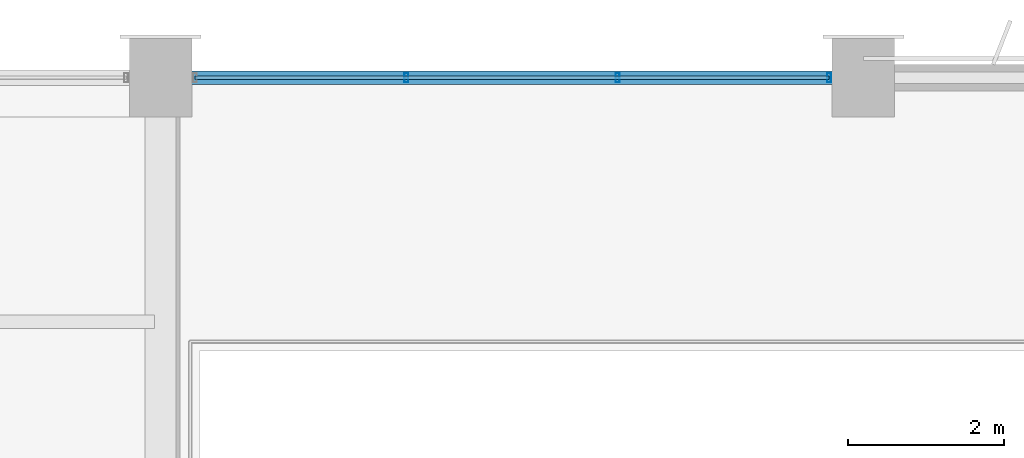
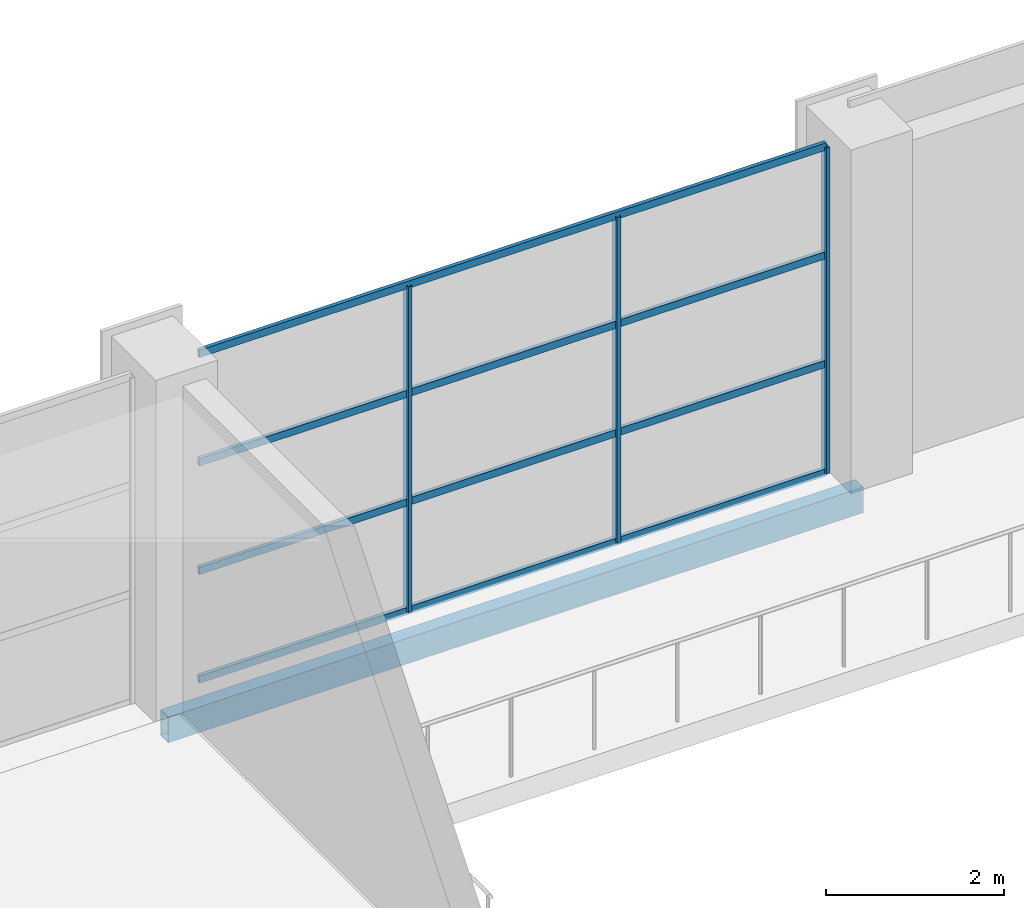
# One storey, part 82 of 112: 7 members, 1 beam, 1 element without a shape of its own.
"""IFC4 building model written with IfcOpenShell, lengths in metres."""

from ifc_helpers import new_model, si_unit, direction, frame, origin, origin_2d, place, context, subcontext, project, spatial, hollow_rectangle, extrude, material, material_profile, profile_set, type_object, element, aggregate, save


model = new_model("IFC4")

# Units and contexts
model_context = context("Model", 3, precision=1e-05, world=origin(), true_north=direction((0.0, 1.0)))
body_context = subcontext(model_context, "Body", "Model", "MODEL_VIEW")
ifc_project = project(units=[si_unit("LENGTHUNIT", "METRE"), si_unit("AREAUNIT", "SQUARE_METRE"), si_unit("VOLUMEUNIT", "CUBIC_METRE"), si_unit("PLANEANGLEUNIT", "RADIAN"), si_unit("MASSUNIT", "GRAM", prefix="KILO")], contexts=[model_context])

# Site, building, storey
site_placement = place(None, origin())
site = spatial("IfcSite", under=ifc_project, at=site_placement, CompositionType="ELEMENT")
building_placement = place(site_placement, origin())
building = spatial("IfcBuilding", under=site, at=building_placement, Name="Solvikara Media Centre", CompositionType="ELEMENT")
storey_placement = place(building_placement, frame((0.0, 0.0, 5.39990234375)))
storey = spatial("IfcBuildingStorey", under=building, at=storey_placement, Name="L01", CompositionType="ELEMENT", Elevation=5.39990234375)

# Beam
ifc_material_1 = material(Name="Steel S355JR", Category="steel")
ifc_material_profile_1 = material_profile(ifc_material_1, hollow_rectangle(XDim=0.175048828125, YDim=0.35009765625, WallThickness=0.010009765625, at=origin_2d()), Name="RHS 350x175x10")
ifc_profile_set_1 = profile_set([ifc_material_profile_1], Name="Steel S355JR")
beam_type = type_object("IfcBeamType", Name="BM-34", PredefinedType="SPANDREL", material=ifc_profile_set_1)
beam_placement = place(storey_placement, frame((136.5, 114.0, -0.476806640625), z_axis=(1.0, 0.0, 0.0), x_axis=(0.0, 1.0, 0.0)))
element("IfcBeam", 1, at=beam_placement, inside=storey, type_object=beam_type, Name="B-L01-X0532", PredefinedType="SPANDREL", context=body_context, shape_type="SweptSolid", body=[
    extrude(hollow_rectangle(XDim=0.175048828125, YDim=0.35009765625, WallThickness=0.010009765625, at=origin_2d()), origin(), (0.0, 0.0, 1.0), 9.0),
])

# Curtain wall, members
ifc_material_2 = material(Name="Anodised aluminium EN AW-6063", Category="aluminium")
curtain_wall_type = type_object("IfcCurtainWallType", Name="CW-12", PredefinedType="NOTDEFINED", material=ifc_material_2)
curtain_wall_placement = place(storey_placement, origin())
curtain_wall = element("IfcCurtainWall", 2, at=curtain_wall_placement, inside=storey, type_object=curtain_wall_type, Name="CW-L01-V2N-S2", PredefinedType="NOTDEFINED")
ifc_material_profile_2 = material_profile(ifc_material_2, hollow_rectangle(XDim=0.050048828125, YDim=0.1201171875, WallThickness=0.0029296875, at=origin_2d()), Name="ALU-M 50x120x3")
ifc_profile_set_2 = profile_set([ifc_material_profile_2], Name="Anodised aluminium EN AW-6063")
member_type_1 = type_object("IfcMemberType", Name="MF-06", PredefinedType="MULLION", material=ifc_profile_set_2)
member_1_placement = place(storey_placement, frame((139.64697265625, 114.0, 0.02001953125), z_axis=(0.0, 0.0, 1.0), x_axis=(1.0, 0.0, 0.0)))
member_1 = element("IfcMember", 3, at=member_1_placement, type_object=member_type_1, Name="CW-L01-V2N-S2-M01", PredefinedType="MULLION", context=body_context, shape_type="SweptSolid", body=[
    extrude(hollow_rectangle(XDim=0.050048828125, YDim=0.1201171875, WallThickness=0.0029296875, at=origin_2d()), origin(), (0.0, 0.0, 1.0), 4.4599609375),
])
member_2_placement = place(storey_placement, frame((142.35302734375, 114.0, 0.02001953125), z_axis=(0.0, 0.0, 1.0), x_axis=(1.0, 0.0, 0.0)))
member_2 = element("IfcMember", 4, at=member_2_placement, type_object=member_type_1, Name="CW-L01-V2N-S2-M02", PredefinedType="MULLION", context=body_context, shape_type="SweptSolid", body=[
    extrude(hollow_rectangle(XDim=0.050048828125, YDim=0.1201171875, WallThickness=0.0029296875, at=origin_2d()), origin(), (0.0, 0.0, 1.0), 4.4599609375),
])
member_3_placement = place(storey_placement, frame((145.06005859375, 114.0, 0.02001953125), z_axis=(0.0, 0.0, 1.0), x_axis=(1.0, 0.0, 0.0)))
member_3 = element("IfcMember", 5, at=member_3_placement, type_object=member_type_1, Name="CW-L01-V2N-S2-M03", PredefinedType="MULLION", context=body_context, shape_type="SweptSolid", body=[
    extrude(hollow_rectangle(XDim=0.050048828125, YDim=0.1201171875, WallThickness=0.0029296875, at=origin_2d()), origin(), (0.0, 0.0, 1.0), 4.4599609375),
])
ifc_material_profile_3 = material_profile(ifc_material_2, hollow_rectangle(XDim=0.050048828125, YDim=0.10009765625, WallThickness=0.0029296875, at=origin_2d()), Name="ALU-T 50x100x3")
ifc_profile_set_3 = profile_set([ifc_material_profile_3], Name="Anodised aluminium EN AW-6063")
member_type_2 = type_object("IfcMemberType", Name="MF-12", PredefinedType="USERDEFINED", material=ifc_profile_set_3)
member_4_placement = place(storey_placement, frame((136.93994140625, 114.0, 0.02001953125), z_axis=(1.0, 0.0, 0.0), x_axis=(0.0, 1.0, 0.0)))
member_4 = element("IfcMember", 6, at=member_4_placement, type_object=member_type_2, Name="CW-L01-V2N-S2-T00", ObjectType="TRANSOM", PredefinedType="USERDEFINED", context=body_context, shape_type="SweptSolid", body=[
    extrude(hollow_rectangle(XDim=0.050048828125, YDim=0.10009765625, WallThickness=0.0029296875, at=origin_2d()), origin(), (0.0, 0.0, 1.0), 8.1201171875),
])
member_5_placement = place(storey_placement, frame((136.93994140625, 114.0, 1.507080078125), z_axis=(1.0, 0.0, 0.0), x_axis=(0.0, 1.0, 0.0)))
member_5 = element("IfcMember", 7, at=member_5_placement, type_object=member_type_2, Name="CW-L01-V2N-S2-T01", ObjectType="TRANSOM", PredefinedType="USERDEFINED", context=body_context, shape_type="SweptSolid", body=[
    extrude(hollow_rectangle(XDim=0.050048828125, YDim=0.10009765625, WallThickness=0.0029296875, at=origin_2d()), origin(), (0.0, 0.0, 1.0), 8.1201171875),
])
member_6_placement = place(storey_placement, frame((136.93994140625, 114.0, 2.9931640625), z_axis=(1.0, 0.0, 0.0), x_axis=(0.0, 1.0, 0.0)))
member_6 = element("IfcMember", 8, at=member_6_placement, type_object=member_type_2, Name="CW-L01-V2N-S2-T02", ObjectType="TRANSOM", PredefinedType="USERDEFINED", context=body_context, shape_type="SweptSolid", body=[
    extrude(hollow_rectangle(XDim=0.050048828125, YDim=0.10009765625, WallThickness=0.0029296875, at=origin_2d()), origin(), (0.0, 0.0, 1.0), 8.1201171875),
])
member_7_placement = place(storey_placement, frame((136.93994140625, 114.0, 4.47998046875), z_axis=(1.0, 0.0, 0.0), x_axis=(0.0, 1.0, 0.0)))
member_7 = element("IfcMember", 9, at=member_7_placement, type_object=member_type_2, Name="CW-L01-V2N-S2-T03", ObjectType="TRANSOM", PredefinedType="USERDEFINED", context=body_context, shape_type="SweptSolid", body=[
    extrude(hollow_rectangle(XDim=0.050048828125, YDim=0.10009765625, WallThickness=0.0029296875, at=origin_2d()), origin(), (0.0, 0.0, 1.0), 8.1201171875),
])
aggregate(curtain_wall, [member_1, member_2, member_3, member_4, member_5, member_6, member_7])

save(model, "model.ifc")
